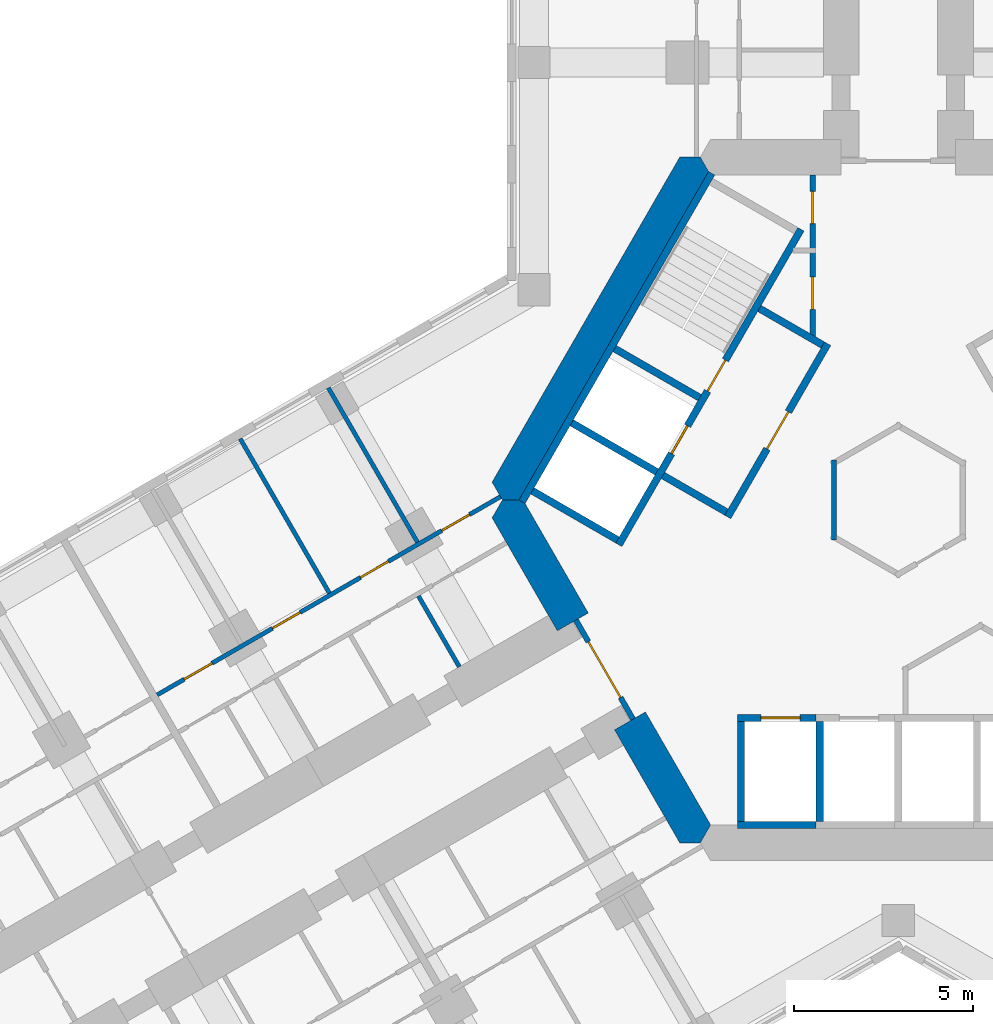
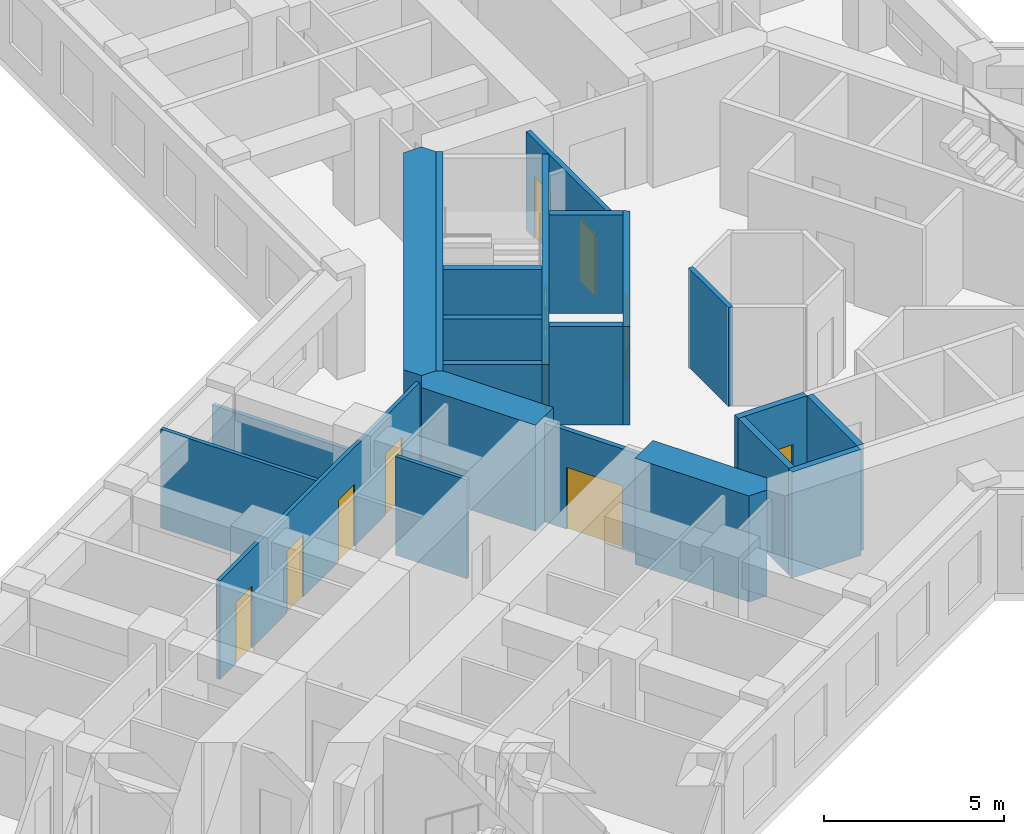
# One storey, part 13 of 22: 22 walls, 11 doors, 11 openings.
"""IFC4 building model written with IfcOpenShell, lengths in metres."""

from ifc_helpers import new_model, si_unit, direction, frame, frame_2d, origin, place, context, subcontext, project, spatial, polyline, rectangle, outline, extrude, material, layer, layer_set, type_object, element, fill, save


model = new_model("IFC4")

# Units and contexts
model_context = context("Model", 3, precision=1e-05, world=origin(), true_north=direction((0.0, 1.0)))
body_context = subcontext(model_context, "Body", "Model", "MODEL_VIEW")
ifc_project = project(units=[si_unit("LENGTHUNIT", "METRE"), si_unit("AREAUNIT", "SQUARE_METRE"), si_unit("VOLUMEUNIT", "CUBIC_METRE"), si_unit("PLANEANGLEUNIT", "RADIAN"), si_unit("MASSUNIT", "GRAM", prefix="KILO")], contexts=[model_context])

# Site, building, storey
site_placement = place(None, origin())
site = spatial("IfcSite", under=ifc_project, at=site_placement, CompositionType="ELEMENT")
building_placement = place(site_placement, origin())
building = spatial("IfcBuilding", under=site, at=building_placement, Name="Kosmar Iwan School Tower", CompositionType="ELEMENT")
storey_placement = place(building_placement, frame((0.0, 0.0, 91.60009765625)))
storey = spatial("IfcBuildingStorey", under=building, at=storey_placement, Name="L22", CompositionType="ELEMENT", Elevation=91.60009765625)

# Wall, openings, doors
ifc_material_1 = material(Name="Gypsum board on steel studs, fire-rated", Category="steel")
ifc_layer_1 = layer(ifc_material_1, 0.14990234375)
ifc_layer_set_1 = layer_set([ifc_layer_1], Name="Core room partition 150")
wall_type_1 = type_object("IfcWallType", Name="Core room partition 150", PredefinedType="PARTITIONING", material=ifc_layer_set_1)
wall_1_placement = place(storey_placement, frame((-2.39990234375, 9.094970703125, 0.0), z_axis=(0.0, 0.0, 1.0), x_axis=(0.0, -1.0, 0.0)))
wall_1 = element("IfcWall", 1, at=wall_1_placement, inside=storey, type_object=wall_type_1, Name="Core room partition L22-CW1", PredefinedType="PARTITIONING", context=body_context, shape_type="SweptSolid", body=[
    extrude(rectangle(XDim=4.564208984375, YDim=0.14990234375, at=frame_2d((2.2822265625, 0.0))), origin(), (0.0, 0.0, 1.0), 3.349853515625),
])
opening_1_placement = place(wall_1_placement, frame((0.455078125, 0.0, 0.0)))
opening_1 = element("IfcOpeningElement", 2, at=opening_1_placement, cuts=wall_1, Name="Opening D14", PredefinedType="OPENING", context=body_context, shape_type="SweptSolid", body=[
    extrude(rectangle(XDim=0.89990234375, YDim=2.10009765625, at=frame_2d((0.449951171875, 1.050048828125))), frame((0.0, 0.0869140625, 0.0), z_axis=(0.0, -1.0, 0.0), x_axis=(1.0, 0.0, 0.0)), (0.0, 0.0, 1.0), 0.173828125),
])
opening_2_placement = place(wall_1_placement, frame((2.85498046875, 0.0, 0.0)))
opening_2 = element("IfcOpeningElement", 3, at=opening_2_placement, cuts=wall_1, Name="Opening D14", PredefinedType="OPENING", context=body_context, shape_type="SweptSolid", body=[
    extrude(rectangle(XDim=0.89990234375, YDim=2.10009765625, at=frame_2d((0.449951171875, 1.050048828125))), frame((0.0, 0.0869140625, 0.0), z_axis=(0.0, -1.0, 0.0), x_axis=(1.0, 0.0, 0.0)), (0.0, 0.0, 1.0), 0.173828125),
])
ifc_material_2 = material(Name="Timber fire door in steel frame", Category="steel")
door_type_1 = type_object("IfcDoorType", Name="Core room door 900x2100", OperationType="SINGLE_SWING_LEFT", PredefinedType="DOOR", material=ifc_material_2)
door_1_placement = place(opening_1_placement, origin())
door_1 = element("IfcDoor", 4, at=door_1_placement, inside=storey, type_object=door_type_1, Name="Electrical riser and switch room door L22 1", OperationType="SINGLE_SWING_LEFT", OverallHeight=2.10009765625, OverallWidth=0.89990234375, PredefinedType="DOOR", context=body_context, shape_type="SweptSolid", body=[
    extrude(rectangle(XDim=0.89990234375, YDim=2.10009765625, at=frame_2d((0.449951171875, 1.050048828125))), frame((0.0, 0.02490234375, 0.0), z_axis=(0.0, -1.0, 0.0), x_axis=(1.0, 0.0, 0.0)), (0.0, 0.0, 1.0), 0.050048828125),
])
fill(opening_1, door_1)
door_2_placement = place(opening_2_placement, origin())
door_2 = element("IfcDoor", 5, at=door_2_placement, inside=storey, type_object=door_type_1, Name="Plumbing and wet riser door L22 2", OperationType="SINGLE_SWING_RIGHT", OverallHeight=2.10009765625, OverallWidth=0.89990234375, PredefinedType="DOOR", context=body_context, shape_type="SweptSolid", body=[
    extrude(rectangle(XDim=0.89990234375, YDim=2.10009765625, at=frame_2d((0.449951171875, 1.050048828125))), frame((0.0, 0.02490234375, 0.0), z_axis=(0.0, -1.0, 0.0), x_axis=(1.0, 0.0, 0.0)), (0.0, 0.0, 1.0), 0.050048828125),
])
fill(opening_2, door_2)

# Walls
wall_2_placement = place(storey_placement, frame((-1.800048828125, -1.1142578125, 0.0), z_axis=(0.0, 0.0, 1.0), x_axis=(0.0, 1.0, 0.0)))
element("IfcWall", 6, at=wall_2_placement, inside=storey, type_object=wall_type_1, Name="Core room partition L22-CW6", PredefinedType="PARTITIONING", context=body_context, shape_type="SweptSolid", body=[
    extrude(rectangle(XDim=2.228515625, YDim=0.14990234375, at=frame_2d((1.1142578125, 0.0))), origin(), (0.0, 0.0, 1.0), 3.349853515625),
])
ifc_material_3 = material(Name="Concrete C50/60", Category="concrete")
ifc_layer_2 = layer(ifc_material_3, 1.0)
ifc_layer_set_2 = layer_set([ifc_layer_2], Name="Core wall 1000")
wall_type_2 = type_object("IfcWallType", Name="Core wall 1000", PredefinedType="SHEAR", material=ifc_layer_set_2)
wall_3_placement = place(storey_placement, origin())
element("IfcWall", 7, at=wall_3_placement, inside=storey, type_object=wall_type_2, Name="Core wall F150", PredefinedType="SHEAR", context=body_context, shape_type="SweptSolid", body=[
    extrude(outline(polyline([(-11.085205078125, 0.0), (-10.5078125, 0.0), (-5.25390625, 9.10009765625), (-5.54248046875, 9.60009765625), (-6.119873046875, 9.60009765625), (-11.373779296875, 0.5), (-11.085205078125, 0.0)])), origin(), (0.0, 0.0, 1.0), 3.599853515625),
])
wall_4_placement = place(storey_placement, origin())
element("IfcWall", 8, at=wall_4_placement, inside=storey, type_object=wall_type_2, Name="Core wall F210a", PredefinedType="SHEAR", context=body_context, shape_type="SweptSolid", body=[
    extrude(outline(polyline([(-9.546875, -3.664306640625), (-8.680908203125, -3.164306640625), (-10.5078125, 0.0), (-11.085205078125, 0.0), (-11.373779296875, -0.5), (-9.546875, -3.664306640625)])), origin(), (0.0, 0.0, 1.0), 3.599853515625),
])
wall_5_placement = place(storey_placement, origin())
element("IfcWall", 9, at=wall_5_placement, inside=storey, type_object=wall_type_2, Name="Core wall F210b", PredefinedType="SHEAR", context=body_context, shape_type="SweptSolid", body=[
    extrude(outline(polyline([(-6.119873046875, -9.60009765625), (-5.54248046875, -9.60009765625), (-5.25390625, -9.10009765625), (-7.080810546875, -5.935546875), (-7.94677734375, -6.435546875), (-6.119873046875, -9.60009765625)])), origin(), (0.0, 0.0, 1.0), 3.599853515625),
])

# Wall, opening, door
ifc_material_4 = material(Name="Steel framed glazed screen", Category="steel")
ifc_layer_3 = layer(ifc_material_4, 0.14990234375)
ifc_layer_set_3 = layer_set([ifc_layer_3], Name="Corridor screen wall 150")
wall_type_3 = type_object("IfcWallType", Name="Corridor screen wall 150", PredefinedType="PARTITIONING", material=ifc_layer_set_3)
wall_6_placement = place(storey_placement, frame((-9.02734375, -3.3642578125, 0.0), z_axis=(0.0, 0.0, 1.0), x_axis=(0.499995408039, -0.866028054938, 0.0)))
wall_6 = element("IfcWall", 10, at=wall_6_placement, inside=storey, type_object=wall_type_3, Name="Corridor screen B L22", PredefinedType="PARTITIONING", context=body_context, shape_type="SweptSolid", body=[
    extrude(rectangle(XDim=3.2001953125, YDim=0.14990234375, at=frame_2d((1.60009765625, 0.0))), origin(), (0.0, 0.0, 1.0), 3.349853515625),
])
opening_3_placement = place(wall_6_placement, frame((0.699951171875, 0.0, 0.0)))
opening_3 = element("IfcOpeningElement", 11, at=opening_3_placement, cuts=wall_6, Name="Opening D9", PredefinedType="OPENING", context=body_context, shape_type="SweptSolid", body=[
    extrude(rectangle(XDim=1.800048828125, YDim=2.10009765625, at=frame_2d((0.89990234375, 1.050048828125))), frame((0.0, 0.0869140625, 0.0), z_axis=(0.0, -1.0, 0.0), x_axis=(1.0, 0.0, 0.0)), (0.0, 0.0, 1.0), 0.173828125),
])
ifc_material_5 = material(Name="Steel framed glazed smoke door", Category="steel")
door_type_2 = type_object("IfcDoorType", Name="Corridor smoke door pair 1800x2100", OperationType="DOUBLE_DOOR_DOUBLE_SWING", PredefinedType="DOOR", material=ifc_material_5)
door_3_placement = place(opening_3_placement, origin())
door_3 = element("IfcDoor", 12, at=door_3_placement, inside=storey, type_object=door_type_2, Name="Corridor doors B L22", OperationType="DOUBLE_DOOR_DOUBLE_SWING", OverallHeight=2.10009765625, OverallWidth=1.800048828125, PredefinedType="DOOR", context=body_context, shape_type="SweptSolid", body=[
    extrude(rectangle(XDim=1.800048828125, YDim=2.10009765625, at=frame_2d((0.89990234375, 1.050048828125))), frame((0.0, 0.02490234375, 0.0), z_axis=(0.0, -1.0, 0.0), x_axis=(1.0, 0.0, 0.0)), (0.0, 0.0, 1.0), 0.050048828125),
])
fill(opening_3, door_3)

# Wall, openings, doors
ifc_material_6 = material(Name="Gypsum board on steel studs", Category="steel")
ifc_layer_4 = layer(ifc_material_6, 0.1201171875)
ifc_layer_set_4 = layer_set([ifc_layer_4], Name="Dwelling partition 120")
wall_type_4 = type_object("IfcWallType", Name="Dwelling partition 120", PredefinedType="PARTITIONING", material=ifc_layer_set_4)
wall_7_placement = place(storey_placement, frame((-11.138916015625, 0.093017578125, 0.0), z_axis=(0.0, 0.0, 1.0), x_axis=(-0.866021494144, -0.500006771635, 0.0)))
wall_7 = element("IfcWall", 13, at=wall_7_placement, inside=storey, type_object=wall_type_4, Name="Partition L22-BR1-W2", PredefinedType="PARTITIONING", context=body_context, shape_type="SweptSolid", body=[
    extrude(rectangle(XDim=11.099853515625, YDim=0.1201171875, at=frame_2d((5.5498046875, 0.0))), origin(), (0.0, 0.0, 1.0), 3.349853515625),
])
opening_4_placement = place(wall_7_placement, frame((1.0, 0.0, 0.0)))
opening_4 = element("IfcOpeningElement", 14, at=opening_4_placement, cuts=wall_7, Name="Opening D2", PredefinedType="OPENING", context=body_context, shape_type="SweptSolid", body=[
    extrude(rectangle(XDim=0.89990234375, YDim=2.10009765625, at=frame_2d((0.449951171875, 1.050048828125))), frame((0.0, 0.072021484375, 0.0), z_axis=(0.0, -1.0, 0.0), x_axis=(1.0, 0.0, 0.0)), (0.0, 0.0, 1.0), 0.14404296875),
])
opening_5_placement = place(wall_7_placement, frame((3.625, 0.0, 0.0)))
opening_5 = element("IfcOpeningElement", 15, at=opening_5_placement, cuts=wall_7, Name="Opening D2", PredefinedType="OPENING", context=body_context, shape_type="SweptSolid", body=[
    extrude(rectangle(XDim=0.89990234375, YDim=2.10009765625, at=frame_2d((0.449951171875, 1.050048828125))), frame((0.0, 0.072021484375, 0.0), z_axis=(0.0, -1.0, 0.0), x_axis=(1.0, 0.0, 0.0)), (0.0, 0.0, 1.0), 0.14404296875),
])
opening_6_placement = place(wall_7_placement, frame((6.47509765625, 0.0, 0.0)))
opening_6 = element("IfcOpeningElement", 16, at=opening_6_placement, cuts=wall_7, Name="Opening D2", PredefinedType="OPENING", context=body_context, shape_type="SweptSolid", body=[
    extrude(rectangle(XDim=0.89990234375, YDim=2.10009765625, at=frame_2d((0.449951171875, 1.050048828125))), frame((0.0, 0.072021484375, 0.0), z_axis=(0.0, -1.0, 0.0), x_axis=(1.0, 0.0, 0.0)), (0.0, 0.0, 1.0), 0.14404296875),
])
opening_7_placement = place(wall_7_placement, frame((9.324951171875, 0.0, 0.0)))
opening_7 = element("IfcOpeningElement", 17, at=opening_7_placement, cuts=wall_7, Name="Opening D2", PredefinedType="OPENING", context=body_context, shape_type="SweptSolid", body=[
    extrude(rectangle(XDim=0.89990234375, YDim=2.10009765625, at=frame_2d((0.449951171875, 1.050048828125))), frame((0.0, 0.072021484375, 0.0), z_axis=(0.0, -1.0, 0.0), x_axis=(1.0, 0.0, 0.0)), (0.0, 0.0, 1.0), 0.14404296875),
])
ifc_material_7 = material(Name="Timber door in timber frame", Category="wood")
door_type_3 = type_object("IfcDoorType", Name="Internal door 900x2100", OperationType="SINGLE_SWING_LEFT", PredefinedType="DOOR", material=ifc_material_7)
door_4_placement = place(opening_4_placement, origin())
door_4 = element("IfcDoor", 18, at=door_4_placement, inside=storey, type_object=door_type_3, Name="Living room and kitchen door L22-BR1-F1", OperationType="SINGLE_SWING_LEFT", OverallHeight=2.10009765625, OverallWidth=0.89990234375, PredefinedType="DOOR", context=body_context, shape_type="SweptSolid", body=[
    extrude(rectangle(XDim=0.89990234375, YDim=2.10009765625, at=frame_2d((0.449951171875, 1.050048828125))), frame((0.0, 0.02490234375, 0.0), z_axis=(0.0, -1.0, 0.0), x_axis=(1.0, 0.0, 0.0)), (0.0, 0.0, 1.0), 0.050048828125),
])
fill(opening_4, door_4)
door_5_placement = place(opening_5_placement, origin())
door_5 = element("IfcDoor", 19, at=door_5_placement, inside=storey, type_object=door_type_3, Name="Study door L22-BR1-F2", OperationType="SINGLE_SWING_LEFT", OverallHeight=2.10009765625, OverallWidth=0.89990234375, PredefinedType="DOOR", context=body_context, shape_type="SweptSolid", body=[
    extrude(rectangle(XDim=0.89990234375, YDim=2.10009765625, at=frame_2d((0.449951171875, 1.050048828125))), frame((0.0, 0.02490234375, 0.0), z_axis=(0.0, -1.0, 0.0), x_axis=(1.0, 0.0, 0.0)), (0.0, 0.0, 1.0), 0.050048828125),
])
fill(opening_5, door_5)
door_6_placement = place(opening_6_placement, origin())
door_6 = element("IfcDoor", 20, at=door_6_placement, inside=storey, type_object=door_type_3, Name="Winter garden door L22-BR1-F3", OperationType="SINGLE_SWING_RIGHT", OverallHeight=2.10009765625, OverallWidth=0.89990234375, PredefinedType="DOOR", context=body_context, shape_type="SweptSolid", body=[
    extrude(rectangle(XDim=0.89990234375, YDim=2.10009765625, at=frame_2d((0.449951171875, 1.050048828125))), frame((0.0, 0.02490234375, 0.0), z_axis=(0.0, -1.0, 0.0), x_axis=(1.0, 0.0, 0.0)), (0.0, 0.0, 1.0), 0.050048828125),
])
fill(opening_6, door_6)
door_7_placement = place(opening_7_placement, origin())
door_7 = element("IfcDoor", 21, at=door_7_placement, inside=storey, type_object=door_type_3, Name="Bedroom 1 door L22-BR1-F4", OperationType="SINGLE_SWING_RIGHT", OverallHeight=2.10009765625, OverallWidth=0.89990234375, PredefinedType="DOOR", context=body_context, shape_type="SweptSolid", body=[
    extrude(rectangle(XDim=0.89990234375, YDim=2.10009765625, at=frame_2d((0.449951171875, 1.050048828125))), frame((0.0, 0.02490234375, 0.0), z_axis=(0.0, -1.0, 0.0), x_axis=(1.0, 0.0, 0.0)), (0.0, 0.0, 1.0), 0.050048828125),
])
fill(opening_7, door_7)

# Walls
wall_8_placement = place(storey_placement, frame((-13.4638671875, -1.179931640625, 0.0), z_axis=(0.0, 0.0, 1.0), x_axis=(-0.499975153383, 0.86603974851, 0.0)))
element("IfcWall", 22, at=wall_8_placement, inside=storey, type_object=wall_type_4, Name="Partition L22-BR1-X1", PredefinedType="PARTITIONING", context=body_context, shape_type="SweptSolid", body=[
    extrude(rectangle(XDim=4.989990234375, YDim=0.1201171875, at=frame_2d((2.4951171875, 0.0))), origin(), (0.0, 0.0, 1.0), 2.449951171875),
])
wall_9_placement = place(storey_placement, frame((-15.931884765625, -2.60498046875, 0.0), z_axis=(0.0, 0.0, 1.0), x_axis=(-0.500011847778, 0.866018563358, 0.0)))
element("IfcWall", 23, at=wall_9_placement, inside=storey, type_object=wall_type_4, Name="Partition L22-BR1-X2", PredefinedType="PARTITIONING", context=body_context, shape_type="SweptSolid", body=[
    extrude(rectangle(XDim=4.990234375, YDim=0.1201171875, at=frame_2d((2.4951171875, 0.0))), origin(), (0.0, 0.0, 1.0), 3.349853515625),
])
wall_10_placement = place(storey_placement, frame((-12.291015625, -4.67138671875, 0.0), z_axis=(0.0, 0.0, 1.0), x_axis=(-0.500014693593, 0.866016920268, 0.0)))
element("IfcWall", 24, at=wall_10_placement, inside=storey, type_object=wall_type_4, Name="Partition L22-BR1-Y1", PredefinedType="PARTITIONING", context=body_context, shape_type="SweptSolid", body=[
    extrude(rectangle(XDim=2.2900390625, YDim=0.1201171875, at=frame_2d((1.14501953125, 0.0))), origin(), (0.0, 0.0, 1.0), 3.349853515625),
])

# Wall, opening, door
ifc_material_8 = material(Name="Concrete block masonry", Category="masonry")
ifc_layer_5 = layer(ifc_material_8, 0.199951171875)
ifc_layer_set_5 = layer_set([ifc_layer_5], Name="Fire lobby wall 200")
wall_type_5 = type_object("IfcWallType", Name="Fire lobby wall 200", PredefinedType="PARTITIONING", material=ifc_layer_set_5)
wall_11_placement = place(storey_placement, frame((-1.9775390625, 4.374755859375, 0.0), z_axis=(0.0, 0.0, 1.0), x_axis=(-0.500016814911, -0.866015695474, 0.0)))
wall_11 = element("IfcWall", 25, at=wall_11_placement, inside=storey, type_object=wall_type_5, Name="Firefighting lobby wall ST2", PredefinedType="PARTITIONING", context=body_context, shape_type="SweptSolid", body=[
    extrude(rectangle(XDim=5.599853515625, YDim=0.199951171875, at=frame_2d((2.7998046875, 0.0))), origin(), (0.0, 0.0, 1.0), 3.349853515625),
])
opening_8_placement = place(wall_11_placement, frame((2.199951171875, 0.0, 0.0)))
opening_8 = element("IfcOpeningElement", 26, at=opening_8_placement, cuts=wall_11, Name="Opening D7", PredefinedType="OPENING", context=body_context, shape_type="SweptSolid", body=[
    extrude(rectangle(XDim=1.199951171875, YDim=2.10009765625, at=frame_2d((0.60009765625, 1.050048828125))), frame((0.0, 0.112060546875, 0.0), z_axis=(0.0, -1.0, 0.0), x_axis=(1.0, 0.0, 0.0)), (0.0, 0.0, 1.0), 0.223876953125),
])
ifc_material_9 = material(Name="Steel fire door", Category="steel")
door_type_4 = type_object("IfcDoorType", Name="Fire lobby door 1200x2100", OperationType="SINGLE_SWING_LEFT", PredefinedType="DOOR", material=ifc_material_9)
door_8_placement = place(opening_8_placement, origin())
door_8 = element("IfcDoor", 27, at=door_8_placement, inside=storey, type_object=door_type_4, Name="Firefighting lobby door ST2 L22", OperationType="SINGLE_SWING_RIGHT", OverallHeight=2.10009765625, OverallWidth=1.199951171875, PredefinedType="DOOR", context=body_context, shape_type="SweptSolid", body=[
    extrude(rectangle(XDim=1.199951171875, YDim=2.10009765625, at=frame_2d((0.60009765625, 1.050048828125))), frame((0.0, 0.02490234375, 0.0), z_axis=(0.0, -1.0, 0.0), x_axis=(1.0, 0.0, 0.0)), (0.0, 0.0, 1.0), 0.050048828125),
])
fill(opening_8, door_8)

# Walls
wall_12_placement = place(storey_placement, frame((-2.114013671875, 4.33837890625, 0.0), z_axis=(0.0, 0.0, 1.0), x_axis=(-0.866050731258, 0.499956128963, 0.0)))
element("IfcWall", 28, at=wall_12_placement, inside=storey, type_object=wall_type_5, Name="Firefighting lobby wall ST2", PredefinedType="PARTITIONING", context=body_context, shape_type="SweptSolid", body=[
    extrude(rectangle(XDim=2.050048828125, YDim=0.199951171875, at=frame_2d((1.02490234375, 0.0))), origin(), (0.0, 0.0, 1.0), 3.349853515625),
])
wall_13_placement = place(storey_placement, frame((-4.814208984375, -0.33837890625, 0.0), z_axis=(0.0, 0.0, 1.0), x_axis=(-0.865969381856, 0.500097020274, 0.0)))
element("IfcWall", 29, at=wall_13_placement, inside=storey, type_object=wall_type_5, Name="Firefighting lobby wall ST2", PredefinedType="PARTITIONING", context=body_context, shape_type="SweptSolid", body=[
    extrude(rectangle(XDim=2.0498046875, YDim=0.199951171875, at=frame_2d((1.02490234375, 0.0))), origin(), (0.0, 0.0, 1.0), 3.349853515625),
])

# Wall, openings, doors
ifc_material_10 = material(Name="Concrete C50/60", Category="concrete")
ifc_layer_6 = layer(ifc_material_10, 0.199951171875)
ifc_layer_set_6 = layer_set([ifc_layer_6], Name="Lift shaft wall 200")
wall_type_6 = type_object("IfcWallType", Name="Lift shaft wall 200", PredefinedType="SHEAR", material=ifc_layer_set_6)
wall_14_placement = place(storey_placement, frame((-2.72607421875, 7.578369140625, 0.0), z_axis=(0.0, 0.0, 1.0), x_axis=(-0.500005610874, -0.86602216432, 0.0)))
wall_14 = element("IfcWall", 30, at=wall_14_placement, inside=storey, type_object=wall_type_6, Name="Lift and stair front wall AB", PredefinedType="SHEAR", context=body_context, shape_type="SweptSolid", body=[
    extrude(rectangle(XDim=10.2001953125, YDim=0.199951171875, at=frame_2d((5.10009765625, 0.0))), origin(), (0.0, 0.0, 1.0), 3.599853515625),
])
opening_9_placement = place(wall_14_placement, frame((6.35009765625, 0.0, 0.0)))
opening_9 = element("IfcOpeningElement", 31, at=opening_9_placement, cuts=wall_14, Name="Opening LD2", PredefinedType="OPENING", context=body_context, shape_type="SweptSolid", body=[
    extrude(rectangle(XDim=0.89990234375, YDim=2.10009765625, at=frame_2d((0.449951171875, 1.050048828125))), frame((0.0, 0.112060546875, 0.0), z_axis=(0.0, -1.0, 0.0), x_axis=(1.0, 0.0, 0.0)), (0.0, 0.0, 1.0), 0.223876953125),
])
opening_10_placement = place(wall_14_placement, frame((4.22998046875, 0.0, 0.0)))
opening_10 = element("IfcOpeningElement", 32, at=opening_10_placement, cuts=wall_14, Name="Opening D6", PredefinedType="OPENING", context=body_context, shape_type="SweptSolid", body=[
    extrude(rectangle(XDim=1.0, YDim=2.10009765625, at=frame_2d((0.5, 1.050048828125))), frame((0.0, 0.112060546875, 0.0), z_axis=(0.0, -1.0, 0.0), x_axis=(1.0, 0.0, 0.0)), (0.0, 0.0, 1.0), 0.223876953125),
])
ifc_material_11 = material(Name="Stainless steel sliding lift door", Category="steel")
door_type_5 = type_object("IfcDoorType", Name="Firefighting lift landing door 900x2100", OperationType="SLIDING_TO_LEFT", PredefinedType="DOOR", material=ifc_material_11)
door_9_placement = place(opening_9_placement, origin())
door_9 = element("IfcDoor", 33, at=door_9_placement, inside=storey, type_object=door_type_5, Name="Lift FF2 landing door L22", OperationType="SLIDING_TO_LEFT", OverallHeight=2.10009765625, OverallWidth=0.89990234375, PredefinedType="DOOR", context=body_context, shape_type="SweptSolid", body=[
    extrude(rectangle(XDim=0.89990234375, YDim=2.10009765625, at=frame_2d((0.449951171875, 1.050048828125))), frame((0.0, 0.02490234375, 0.0), z_axis=(0.0, -1.0, 0.0), x_axis=(1.0, 0.0, 0.0)), (0.0, 0.0, 1.0), 0.050048828125),
])
fill(opening_9, door_9)
ifc_material_12 = material(Name="Steel fire door", Category="steel")
door_type_6 = type_object("IfcDoorType", Name="Stair door 1000x2100", OperationType="SINGLE_SWING_LEFT", PredefinedType="DOOR", material=ifc_material_12)
door_10_placement = place(opening_10_placement, origin())
door_10 = element("IfcDoor", 34, at=door_10_placement, inside=storey, type_object=door_type_6, Name="Stair ST2 door L22", OperationType="SINGLE_SWING_LEFT", OverallHeight=2.10009765625, OverallWidth=1.0, PredefinedType="DOOR", context=body_context, shape_type="SweptSolid", body=[
    extrude(rectangle(XDim=1.0, YDim=2.10009765625, at=frame_2d((0.5, 1.050048828125))), frame((0.0, 0.02490234375, 0.0), z_axis=(0.0, -1.0, 0.0), x_axis=(1.0, 0.0, 0.0)), (0.0, 0.0, 1.0), 0.050048828125),
])
fill(opening_10, door_10)

# Walls
wall_15_placement = place(storey_placement, frame((-5.22509765625, 9.14990234375, 0.0), z_axis=(0.0, 0.0, 1.0), x_axis=(-0.499994998079, -0.866028291626, 0.0)))
element("IfcWall", 35, at=wall_15_placement, inside=storey, type_object=wall_type_6, Name="Lift and stair back wall AB", PredefinedType="SHEAR", context=body_context, shape_type="SweptSolid", body=[
    extrude(rectangle(XDim=10.623046875, YDim=0.199951171875, at=frame_2d((5.3115234375, 0.0))), origin(), (0.0, 0.0, 1.0), 3.599853515625),
])
for number, where, z_axis, x_axis, name in (
    (36, (-6.7626953125, 0.78662109375, 0.0), (0.0, 0.0, 1.0), (-0.866027397988, 0.499996545922, 0.0), "Lift shaft wall AB 1"),
    (37, (-7.862548828125, -1.118408203125, 0.0), (0.0, 0.0, 1.0), (-0.866027397988, 0.499996545922, 0.0), "Lift shaft wall AB 2"),
):
    element("IfcWall", number, at=place(storey_placement, frame(where, z_axis=z_axis, x_axis=x_axis)), inside=storey, type_object=wall_type_6, Name=name, PredefinedType="SHEAR", context=body_context, shape_type="SweptSolid", body=[
        extrude(rectangle(XDim=2.75, YDim=0.199951171875, at=frame_2d((1.375, 0.0))), origin(), (0.0, 0.0, 1.0), 3.599853515625),
    ])

# Wall, opening, door
wall_16_placement = place(storey_placement, frame((-4.5, -6.10009765625, 0.0), z_axis=(0.0, 0.0, 1.0), x_axis=(1.0, 0.0, 0.0)))
wall_16 = element("IfcWall", 38, at=wall_16_placement, inside=storey, type_object=wall_type_6, Name="Lift and stair front wall BC", PredefinedType="SHEAR", context=body_context, shape_type="SweptSolid", body=[
    extrude(rectangle(XDim=2.199951171875, YDim=0.199951171875, at=frame_2d((1.10009765625, 0.0))), origin(), (0.0, 0.0, 1.0), 3.599853515625),
])
opening_11_placement = place(wall_16_placement, frame((0.64990234375, 0.0, 0.0)))
opening_11 = element("IfcOpeningElement", 39, at=opening_11_placement, cuts=wall_16, Name="Opening LD1", PredefinedType="OPENING", context=body_context, shape_type="SweptSolid", body=[
    extrude(rectangle(XDim=1.10009765625, YDim=2.10009765625, at=frame_2d((0.550048828125, 1.050048828125))), frame((0.0, 0.112060546875, 0.0), z_axis=(0.0, -1.0, 0.0), x_axis=(1.0, 0.0, 0.0)), (0.0, 0.0, 1.0), 0.223876953125),
])
ifc_material_13 = material(Name="Stainless steel sliding lift door", Category="steel")
door_type_7 = type_object("IfcDoorType", Name="Lift landing door 1100x2100", OperationType="SLIDING_TO_LEFT", PredefinedType="DOOR", material=ifc_material_13)
door_11_placement = place(opening_11_placement, origin())
door_11 = element("IfcDoor", 40, at=door_11_placement, inside=storey, type_object=door_type_7, Name="Lift PL1 landing door L22", OperationType="SLIDING_TO_LEFT", OverallHeight=2.10009765625, OverallWidth=1.10009765625, PredefinedType="DOOR", context=body_context, shape_type="SweptSolid", body=[
    extrude(rectangle(XDim=1.10009765625, YDim=2.10009765625, at=frame_2d((0.550048828125, 1.050048828125))), frame((0.0, 0.02490234375, 0.0), z_axis=(0.0, -1.0, 0.0), x_axis=(1.0, 0.0, 0.0)), (0.0, 0.0, 1.0), 0.050048828125),
])
fill(opening_11, door_11)

# Walls
wall_17_placement = place(storey_placement, frame((-4.5, -9.10009765625, 0.0), z_axis=(0.0, 0.0, 1.0), x_axis=(1.0, 0.0, 0.0)))
element("IfcWall", 41, at=wall_17_placement, inside=storey, type_object=wall_type_6, Name="Lift and stair back wall BC", PredefinedType="SHEAR", context=body_context, shape_type="SweptSolid", body=[
    extrude(rectangle(XDim=2.199951171875, YDim=0.199951171875, at=frame_2d((1.10009765625, 0.0))), origin(), (0.0, 0.0, 1.0), 3.599853515625),
])
for number, where, z_axis, x_axis, name in (
    (42, (-4.39990234375, -6.199951171875, 0.0), (0.0, 0.0, 1.0), (0.0, -1.0, 0.0), "Lift shaft wall BC 0"),
    (43, (-2.199951171875, -6.199951171875, 0.0), (0.0, 0.0, 1.0), (0.0, -1.0, 0.0), "Lift shaft wall BC 1"),
):
    element("IfcWall", number, at=place(storey_placement, frame(where, z_axis=z_axis, x_axis=x_axis)), inside=storey, type_object=wall_type_6, Name=name, PredefinedType="SHEAR", context=body_context, shape_type="SweptSolid", body=[
        extrude(rectangle(XDim=2.800048828125, YDim=0.199951171875, at=frame_2d((1.39990234375, 0.0))), origin(), (0.0, 0.0, 1.0), 3.599853515625),
    ])
ifc_material_14 = material(Name="Concrete C50/60", Category="concrete")
ifc_layer_7 = layer(ifc_material_14, 0.199951171875)
ifc_layer_set_7 = layer_set([ifc_layer_7], Name="Stair enclosure wall 200")
wall_type_7 = type_object("IfcWallType", Name="Stair enclosure wall 200", PredefinedType="SHEAR", material=ifc_layer_set_7)
wall_18_placement = place(storey_placement, frame((-5.562744140625, 2.865234375, 0.0), z_axis=(0.0, 0.0, 1.0), x_axis=(-0.866027397988, 0.499996545922, 0.0)))
element("IfcWall", 44, at=wall_18_placement, inside=storey, type_object=wall_type_7, Name="Stair ST2 wall", PredefinedType="SHEAR", context=body_context, shape_type="SweptSolid", body=[
    extrude(rectangle(XDim=2.75, YDim=0.199951171875, at=frame_2d((1.375, 0.0))), origin(), (0.0, 0.0, 1.0), 3.599853515625),
])

save(model, "model.ifc")
